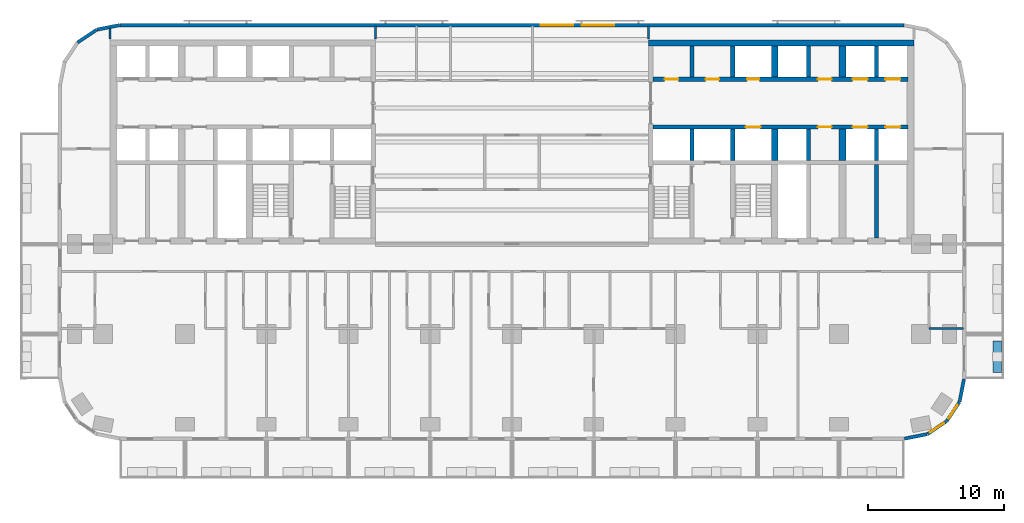
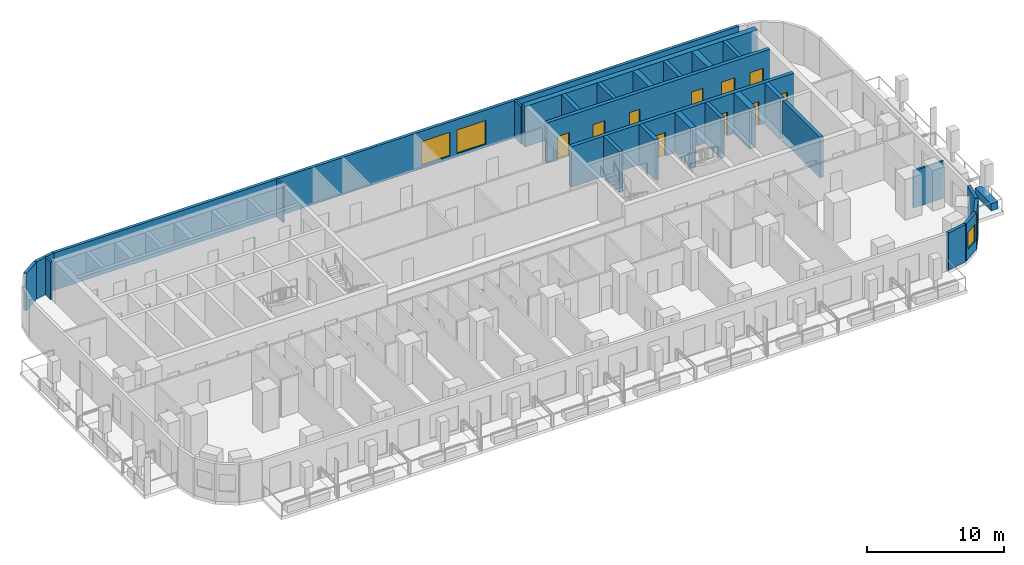
# One storey, part 7 of 13: 28 walls, 10 doors, 4 windows, 14 openings.
"""IFC4 building model written with IfcOpenShell, lengths in metres."""

import ifcopenshell
import ifcopenshell.guid

model = None  # the IFC model being written
_history = None  # IfcOwnerHistory: only IFC2X3 demands one
_inside = {}  # id of a spatial element -> (the spatial element, [elements in it])
_under = {}  # id of a project, library or spatial element -> (it, [spatial elements below it])
_declared = {}  # id of a project -> (the project, [libraries it declares])
_typed = {}  # id of a type object -> (the type object, [elements of that type])
_made_of = {}  # id of a material, layer set ... -> (it, [elements and type objects made of it])


def new_model(schema):
    """Start an empty IFC model of exactly this schema.

    Asked for "IFC4X3", IfcOpenShell would pick the latest addendum, in which some entities
    have other attributes; the version numbers below select the first issue.
    IFC2X3 requires an IfcOwnerHistory on every rooted entity: one is made here for all.
    """
    global model, _history
    if schema == "IFC4X3":
        model = ifcopenshell.file(schema_version=(4, 3, 0, 0))
    else:
        model = ifcopenshell.file(schema=schema)
    _inside.clear()
    _under.clear()
    _declared.clear()
    _typed.clear()
    _made_of.clear()
    _history = None
    if model.schema == "IFC2X3":
        org = make("IfcOrganization", Name="unknown")
        user = make(
            "IfcPersonAndOrganization",
            ThePerson=make("IfcPerson", FamilyName="unknown"),
            TheOrganization=org,
        )
        app = make(
            "IfcApplication",
            ApplicationDeveloper=org,
            Version="unknown",
            ApplicationFullName="unknown",
            ApplicationIdentifier="unknown",
        )
        _history = make(
            "IfcOwnerHistory",
            OwningUser=user,
            OwningApplication=app,
            ChangeAction="ADDED",
            CreationDate=0,
        )
    return model


def make(cls, **values):
    """One entity of the class cls with the attributes given. An attribute that is None is left unset."""
    return model.create_entity(
        cls, **{name: value for name, value in values.items() if value is not None}
    )


def rooted(cls, **values):
    """An entity with a GlobalId (a new one), such as an element, a storey or a relation."""
    return make(cls, GlobalId=ifcopenshell.guid.new(), OwnerHistory=_history, **values)


def si_unit(unit_type, name, prefix=None):
    """IfcSIUnit, for example si_unit("LENGTHUNIT", "METRE", prefix="MILLI")."""
    return make("IfcSIUnit", UnitType=unit_type, Prefix=prefix, Name=name)


def assignment(units):
    """IfcUnitAssignment: the units of a project."""
    return None if units is None else make("IfcUnitAssignment", Units=units)


def point(xyz):
    """IfcCartesianPoint."""
    return None if xyz is None else make("IfcCartesianPoint", Coordinates=xyz)


def direction(xyz):
    """IfcDirection."""
    return None if xyz is None else make("IfcDirection", DirectionRatios=xyz)


def frame(location, z_axis=None, x_axis=None):
    """IfcAxis2Placement3D, a coordinate frame: its origin and axes. An axis left out is left unset."""
    return make(
        "IfcAxis2Placement3D",
        Location=point(location),
        Axis=direction(z_axis),
        RefDirection=direction(x_axis),
    )


def frame_2d(location, x_axis=None):
    """IfcAxis2Placement2D, a coordinate frame in the plane: its origin and x axis."""
    return make(
        "IfcAxis2Placement2D", Location=point(location), RefDirection=direction(x_axis)
    )


def origin():
    """The frame at (0, 0, 0) with its axes left unset."""
    return frame((0.0, 0.0, 0.0))


def place(relative_to, where):
    """IfcLocalPlacement: puts the frame where relative to a parent placement (None: the world)."""
    return make(
        "IfcLocalPlacement", PlacementRelTo=relative_to, RelativePlacement=where
    )


def context(
    kind, dimensions, precision=None, world=None, true_north=None, identifier=None
):
    """IfcGeometricRepresentationContext, for example the 3D "Model" context."""
    return make(
        "IfcGeometricRepresentationContext",
        ContextIdentifier=identifier,
        ContextType=kind,
        CoordinateSpaceDimension=dimensions,
        Precision=precision,
        WorldCoordinateSystem=world,
        TrueNorth=true_north,
    )


def subcontext(parent, identifier, kind, view, scale=None):
    """IfcGeometricRepresentationSubContext, for example "Body" below "Model"."""
    return make(
        "IfcGeometricRepresentationSubContext",
        ContextIdentifier=identifier,
        ContextType=kind,
        ParentContext=parent,
        TargetScale=scale,
        TargetView=view,
    )


def project(units=None, contexts=None):
    """IfcProject with its units and contexts."""
    return rooted(
        "IfcProject",
        Name="project",
        RepresentationContexts=contexts,
        UnitsInContext=assignment(units),
    )


def spatial(cls, under=None, at=None, **own):
    """A site, building, storey or space (cls), placed at a placement, below another one or the project."""
    s = rooted(cls, ObjectPlacement=at, **own)
    if under is not None:
        _under.setdefault(under.id(), (under, []))[1].append(s)
    return s


def profile(cls, at=None, kind="AREA", **sizes):
    """A parametric profile (cls). Its sizes go by their IFC names, for example OverallWidth=200.0."""
    return make(cls, ProfileType=kind, Position=at, **sizes)


def rectangle(**sizes):
    """IfcRectangleProfileDef."""
    return profile("IfcRectangleProfileDef", **sizes)


def extrude(swept, where, along, depth):
    """IfcExtrudedAreaSolid: the profile swept, set in the frame where, extruded along a direction by depth."""
    return make(
        "IfcExtrudedAreaSolid",
        SweptArea=swept,
        Position=where,
        ExtrudedDirection=direction(along),
        Depth=depth,
    )


def shape(context_of_items, identifier, shape_type, items):
    """IfcShapeRepresentation: the items that make up one representation, for example the "Body"."""
    return make(
        "IfcShapeRepresentation",
        ContextOfItems=context_of_items,
        RepresentationIdentifier=identifier,
        RepresentationType=shape_type,
        Items=items,
    )


def material(Name=None, Category=None):
    """IfcMaterial."""
    return make("IfcMaterial", Name=Name, Category=Category)


def layer(
    of_material, thickness, ventilated=None, Name=None, Category=None, Priority=None
):
    """IfcMaterialLayer: one layer of a wall or slab, of a material (None: an air gap)."""
    return make(
        "IfcMaterialLayer",
        Material=of_material,
        LayerThickness=thickness,
        IsVentilated=ventilated,
        Name=Name,
        Category=Category,
        Priority=Priority,
    )


def layer_set(layers, Name=None):
    """IfcMaterialLayerSet."""
    return make("IfcMaterialLayerSet", MaterialLayers=layers, LayerSetName=Name)


def made_of(thing, what):
    """Note that an element or type object is made of a material, layer set ...; save() writes the relation."""
    if what is not None:
        _made_of.setdefault(what.id(), (what, []))[1].append(thing)
    return thing


def type_object(cls, material=None, **own):
    """A type object (cls), such as IfcWallType, which elements share."""
    return made_of(rooted(cls, **own), material)


def element(
    cls,
    number,
    at=None,
    inside=None,
    cuts=None,
    type_object=None,
    material=None,
    context=None,
    identifier="Body",
    shape_type=None,
    held_by="IfcProductDefinitionShape",
    body=None,
    shapes=None,
    **own,
):
    """One element of the class cls, such as IfcWall. Its Tag is "e" and its number.

    at: its placement. inside: the storey or other place that contains it. cuts: it is an
    opening in that element (IfcRelVoidsElement). A single representation is given by context,
    identifier, shape_type and body (its items); several are given by shapes. held_by: the class
    of the entity that holds the representations. save() writes the other relations.
    """
    e = rooted(cls, Tag="e%d" % number, ObjectPlacement=at, **own)
    if body is not None:
        shapes = [shape(context, identifier, shape_type, body)]
    if shapes is not None:
        e.Representation = make(held_by, Representations=shapes)
    if inside is not None:
        _inside.setdefault(inside.id(), (inside, []))[1].append(e)
    if cuts is not None:
        rooted(
            "IfcRelVoidsElement", RelatingBuildingElement=cuts, RelatedOpeningElement=e
        )
    if type_object is not None:
        _typed.setdefault(type_object.id(), (type_object, []))[1].append(e)
    return made_of(e, material)


def fill(opening, filler):
    """IfcRelFillsElement: the door or window that sits in an opening."""
    return rooted(
        "IfcRelFillsElement",
        RelatingOpeningElement=opening,
        RelatedBuildingElement=filler,
    )


def aggregate(whole, parts):
    """IfcRelAggregates: a whole, such as a stair, and the parts it consists of."""
    return rooted("IfcRelAggregates", RelatingObject=whole, RelatedObjects=parts)


def save(model, path):
    """Write the relations noted so far, then the file.

    IfcRelAggregates (storeys below a building ...), IfcRelContainedInSpatialStructure (elements
    in a storey), IfcRelDefinesByType, IfcRelAssociatesMaterial and IfcRelDeclares: one each for
    every whole, place, type object, material and project.
    """
    for whole, parts in _under.values():
        aggregate(whole, parts)
    for where, things in _inside.values():
        rooted(
            "IfcRelContainedInSpatialStructure",
            RelatedElements=things,
            RelatingStructure=where,
        )
    for kind, things in _typed.values():
        rooted("IfcRelDefinesByType", RelatedObjects=things, RelatingType=kind)
    for what, things in _made_of.values():
        rooted("IfcRelAssociatesMaterial", RelatedObjects=things, RelatingMaterial=what)
    for by, libraries in _declared.values():
        rooted("IfcRelDeclares", RelatingContext=by, RelatedDefinitions=libraries)
    model.write(path)


model = new_model("IFC4")

# Units and contexts
model_context = context("Model", 3, precision=1e-05, world=origin(), true_north=direction((0.0, 1.0)))
body_context = subcontext(model_context, "Body", "Model", "MODEL_VIEW")
ifc_project = project(units=[si_unit("LENGTHUNIT", "METRE"), si_unit("AREAUNIT", "SQUARE_METRE"), si_unit("VOLUMEUNIT", "CUBIC_METRE"), si_unit("PLANEANGLEUNIT", "RADIAN"), si_unit("MASSUNIT", "GRAM", prefix="KILO")], contexts=[model_context])

# Site, building, storey
site_placement = place(None, origin())
site = spatial("IfcSite", under=ifc_project, at=site_placement, CompositionType="ELEMENT")
building_placement = place(site_placement, origin())
building = spatial("IfcBuilding", under=site, at=building_placement, Name="Torana Hotel and Residences", CompositionType="ELEMENT")
storey_placement = place(building_placement, frame((0.0, 0.0, 56.39990234375)))
storey = spatial("IfcBuildingStorey", under=building, at=storey_placement, Name="L13", CompositionType="ELEMENT", Elevation=56.39990234375)

# Wall, openings, doors
ifc_material_1 = material(Name="Concrete C80/95", Category="concrete")
ifc_layer_1 = layer(ifc_material_1, 0.300048828125)
ifc_layer_set_1 = layer_set([ifc_layer_1], Name="CORE WALL 300 C80/95")
wall_type_1 = type_object("IfcWallType", Name="CORE WALL 300 C80/95", PredefinedType="SHEAR", material=ifc_layer_set_1)
wall_1_placement = place(storey_placement, frame((10.35009765625, -2.89990234375, 0.0), z_axis=(0.0, 0.0, 1.0), x_axis=(1.0, 0.0, 0.0)))
wall_1 = element("IfcWall", 1, at=wall_1_placement, inside=storey, type_object=wall_type_1, Name="Core wall E row-N", PredefinedType="SHEAR", context=body_context, shape_type="SweptSolid", body=[
    extrude(rectangle(XDim=18.699951171875, YDim=0.300048828125, at=frame_2d((9.35009765625, 0.0))), origin(), (0.0, 0.0, 1.0), 3.60009765625),
])
opening_1_placement = place(wall_1_placement, frame((14.64990234375, 0.0, 0.0)))
opening_1 = element("IfcOpeningElement", 2, at=opening_1_placement, cuts=wall_1, Name="Opening LD", PredefinedType="OPENING", context=body_context, shape_type="SweptSolid", body=[
    extrude(rectangle(XDim=1.10009765625, YDim=2.10009765625, at=frame_2d((0.550048828125, 1.050048828125))), frame((0.0, 0.159912109375, 0.0), z_axis=(0.0, -1.0, 0.0), x_axis=(1.0, 0.0, 0.0)), (0.0, 0.0, 1.0), 0.320068359375),
])
opening_2_placement = place(wall_1_placement, frame((17.050048828125, 0.0, 0.0)))
opening_2 = element("IfcOpeningElement", 3, at=opening_2_placement, cuts=wall_1, Name="Opening LD", PredefinedType="OPENING", context=body_context, shape_type="SweptSolid", body=[
    extrude(rectangle(XDim=1.10009765625, YDim=2.10009765625, at=frame_2d((0.550048828125, 1.050048828125))), frame((0.0, 0.159912109375, 0.0), z_axis=(0.0, -1.0, 0.0), x_axis=(1.0, 0.0, 0.0)), (0.0, 0.0, 1.0), 0.320068359375),
])
opening_3_placement = place(wall_1_placement, frame((6.89990234375, 0.0, 0.0)))
opening_3 = element("IfcOpeningElement", 4, at=opening_3_placement, cuts=wall_1, Name="Opening L13-26", PredefinedType="OPENING", context=body_context, shape_type="SweptSolid", body=[
    extrude(rectangle(XDim=0.89990234375, YDim=2.10009765625, at=frame_2d((0.449951171875, 1.050048828125))), frame((0.0, 0.159912109375, 0.0), z_axis=(0.0, -1.0, 0.0), x_axis=(1.0, 0.0, 0.0)), (0.0, 0.0, 1.0), 0.320068359375),
])
opening_4_placement = place(wall_1_placement, frame((0.85009765625, 0.0, 0.0)))
opening_4 = element("IfcOpeningElement", 5, at=opening_4_placement, cuts=wall_1, Name="Opening L13-27", PredefinedType="OPENING", context=body_context, shape_type="SweptSolid", body=[
    extrude(rectangle(XDim=1.0, YDim=2.10009765625, at=frame_2d((0.5, 1.050048828125))), frame((0.0, 0.159912109375, 0.0), z_axis=(0.0, -1.0, 0.0), x_axis=(1.0, 0.0, 0.0)), (0.0, 0.0, 1.0), 0.320068359375),
])
opening_5_placement = place(wall_1_placement, frame((3.85009765625, 0.0, 0.0)))
opening_5 = element("IfcOpeningElement", 6, at=opening_5_placement, cuts=wall_1, Name="Opening L13-28", PredefinedType="OPENING", context=body_context, shape_type="SweptSolid", body=[
    extrude(rectangle(XDim=1.0, YDim=2.10009765625, at=frame_2d((0.5, 1.050048828125))), frame((0.0, 0.159912109375, 0.0), z_axis=(0.0, -1.0, 0.0), x_axis=(1.0, 0.0, 0.0)), (0.0, 0.0, 1.0), 0.320068359375),
])
opening_6_placement = place(wall_1_placement, frame((12.10009765625, 0.0, 0.0)))
opening_6 = element("IfcOpeningElement", 7, at=opening_6_placement, cuts=wall_1, Name="Opening L13-29", PredefinedType="OPENING", context=body_context, shape_type="SweptSolid", body=[
    extrude(rectangle(XDim=1.0, YDim=2.10009765625, at=frame_2d((0.5, 1.050048828125))), frame((0.0, 0.159912109375, 0.0), z_axis=(0.0, -1.0, 0.0), x_axis=(1.0, 0.0, 0.0)), (0.0, 0.0, 1.0), 0.320068359375),
])
ifc_material_2 = material(Name="Steel S235", Category="steel")
door_type_1 = type_object("IfcDoorType", Name="CORE ROOM FIRE DOOR D14 1000x2100", OperationType="SINGLE_SWING_LEFT", PredefinedType="DOOR", material=ifc_material_2)
door_1_placement = place(opening_4_placement, origin())
door_1 = element("IfcDoor", 8, at=door_1_placement, inside=storey, type_object=door_type_1, Name="N0 door L13", OperationType="SINGLE_SWING_RIGHT", OverallHeight=2.10009765625, OverallWidth=1.0, PredefinedType="DOOR", context=body_context, shape_type="SweptSolid", body=[
    extrude(rectangle(XDim=1.0, YDim=2.10009765625, at=frame_2d((0.5, 1.050048828125))), frame((0.0, 0.02490234375, 0.0), z_axis=(0.0, -1.0, 0.0), x_axis=(1.0, 0.0, 0.0)), (0.0, 0.0, 1.0), 0.050048828125),
])
fill(opening_4, door_1)
door_2_placement = place(opening_5_placement, origin())
door_2 = element("IfcDoor", 9, at=door_2_placement, inside=storey, type_object=door_type_1, Name="N1 door L13", OperationType="SINGLE_SWING_RIGHT", OverallHeight=2.10009765625, OverallWidth=1.0, PredefinedType="DOOR", context=body_context, shape_type="SweptSolid", body=[
    extrude(rectangle(XDim=1.0, YDim=2.10009765625, at=frame_2d((0.5, 1.050048828125))), frame((0.0, 0.02490234375, 0.0), z_axis=(0.0, -1.0, 0.0), x_axis=(1.0, 0.0, 0.0)), (0.0, 0.0, 1.0), 0.050048828125),
])
fill(opening_5, door_2)
door_3_placement = place(opening_6_placement, origin())
door_3 = element("IfcDoor", 10, at=door_3_placement, inside=storey, type_object=door_type_1, Name="Free-M3 door L13", OperationType="SINGLE_SWING_RIGHT", OverallHeight=2.10009765625, OverallWidth=1.0, PredefinedType="DOOR", context=body_context, shape_type="SweptSolid", body=[
    extrude(rectangle(XDim=1.0, YDim=2.10009765625, at=frame_2d((0.5, 1.050048828125))), frame((0.0, 0.02490234375, 0.0), z_axis=(0.0, -1.0, 0.0), x_axis=(1.0, 0.0, 0.0)), (0.0, 0.0, 1.0), 0.050048828125),
])
fill(opening_6, door_3)
ifc_material_3 = material(Name="Stainless steel 316", Category="steel")
door_type_2 = type_object("IfcDoorType", Name="LIFT LANDING DOOR LD 1100x2100", OperationType="DOUBLE_DOOR_SLIDING", PredefinedType="USERDEFINED", material=ifc_material_3)
door_4_placement = place(opening_1_placement, origin())
door_4 = element("IfcDoor", 11, at=door_4_placement, inside=storey, type_object=door_type_2, Name="Lift landing door L5 L13", ObjectType="LIFT LANDING DOOR", OperationType="DOUBLE_DOOR_SLIDING", OverallHeight=2.10009765625, OverallWidth=1.10009765625, PredefinedType="USERDEFINED", context=body_context, shape_type="SweptSolid", body=[
    extrude(rectangle(XDim=1.10009765625, YDim=2.10009765625, at=frame_2d((0.550048828125, 1.050048828125))), frame((0.0, 0.02490234375, 0.0), z_axis=(0.0, -1.0, 0.0), x_axis=(1.0, 0.0, 0.0)), (0.0, 0.0, 1.0), 0.050048828125),
])
fill(opening_1, door_4)
door_5_placement = place(opening_2_placement, origin())
door_5 = element("IfcDoor", 12, at=door_5_placement, inside=storey, type_object=door_type_2, Name="Lift landing door L6 L13", ObjectType="LIFT LANDING DOOR", OperationType="DOUBLE_DOOR_SLIDING", OverallHeight=2.10009765625, OverallWidth=1.10009765625, PredefinedType="USERDEFINED", context=body_context, shape_type="SweptSolid", body=[
    extrude(rectangle(XDim=1.10009765625, YDim=2.10009765625, at=frame_2d((0.550048828125, 1.050048828125))), frame((0.0, 0.02490234375, 0.0), z_axis=(0.0, -1.0, 0.0), x_axis=(1.0, 0.0, 0.0)), (0.0, 0.0, 1.0), 0.050048828125),
])
fill(opening_2, door_5)
ifc_material_4 = material(Name="Steel S235", Category="steel")
door_type_3 = type_object("IfcDoorType", Name="RISER ACCESS DOOR D5 900x2100", OperationType="SINGLE_SWING_LEFT", PredefinedType="DOOR", material=ifc_material_4)
door_6_placement = place(opening_3_placement, origin())
door_6 = element("IfcDoor", 13, at=door_6_placement, inside=storey, type_object=door_type_3, Name="N2 door L13", OperationType="SINGLE_SWING_RIGHT", OverallHeight=2.10009765625, OverallWidth=0.89990234375, PredefinedType="DOOR", context=body_context, shape_type="SweptSolid", body=[
    extrude(rectangle(XDim=0.89990234375, YDim=2.10009765625, at=frame_2d((0.449951171875, 1.050048828125))), frame((0.0, 0.02490234375, 0.0), z_axis=(0.0, -1.0, 0.0), x_axis=(1.0, 0.0, 0.0)), (0.0, 0.0, 1.0), 0.050048828125),
])
fill(opening_3, door_6)

wall_2_placement = place(storey_placement, frame((10.35009765625, -6.39990234375, 0.0), z_axis=(0.0, 0.0, 1.0), x_axis=(1.0, 0.0, 0.0)))
wall_2 = element("IfcWall", 14, at=wall_2_placement, inside=storey, type_object=wall_type_1, Name="Core wall E row-S", PredefinedType="SHEAR", context=body_context, shape_type="SweptSolid", body=[
    extrude(rectangle(XDim=18.699951171875, YDim=0.300048828125, at=frame_2d((9.35009765625, 0.0))), origin(), (0.0, 0.0, 1.0), 3.60009765625),
])
opening_7_placement = place(wall_2_placement, frame((14.64990234375, 0.0, 0.0)))
opening_7 = element("IfcOpeningElement", 15, at=opening_7_placement, cuts=wall_2, Name="Opening LD", PredefinedType="OPENING", context=body_context, shape_type="SweptSolid", body=[
    extrude(rectangle(XDim=1.10009765625, YDim=2.10009765625, at=frame_2d((0.550048828125, 1.050048828125))), frame((0.0, 0.159912109375, 0.0), z_axis=(0.0, -1.0, 0.0), x_axis=(1.0, 0.0, 0.0)), (0.0, 0.0, 1.0), 0.320068359375),
])
opening_8_placement = place(wall_2_placement, frame((17.050048828125, 0.0, 0.0)))
opening_8 = element("IfcOpeningElement", 16, at=opening_8_placement, cuts=wall_2, Name="Opening LD", PredefinedType="OPENING", context=body_context, shape_type="SweptSolid", body=[
    extrude(rectangle(XDim=1.10009765625, YDim=2.10009765625, at=frame_2d((0.550048828125, 1.050048828125))), frame((0.0, 0.159912109375, 0.0), z_axis=(0.0, -1.0, 0.0), x_axis=(1.0, 0.0, 0.0)), (0.0, 0.0, 1.0), 0.320068359375),
])
opening_9_placement = place(wall_2_placement, frame((6.800048828125, 0.0, 0.0)))
opening_9 = element("IfcOpeningElement", 17, at=opening_9_placement, cuts=wall_2, Name="Opening LD", PredefinedType="OPENING", context=body_context, shape_type="SweptSolid", body=[
    extrude(rectangle(XDim=1.10009765625, YDim=2.10009765625, at=frame_2d((0.550048828125, 1.050048828125))), frame((0.0, 0.159912109375, 0.0), z_axis=(0.0, -1.0, 0.0), x_axis=(1.0, 0.0, 0.0)), (0.0, 0.0, 1.0), 0.320068359375),
])
opening_10_placement = place(wall_2_placement, frame((12.10009765625, 0.0, 0.0)))
opening_10 = element("IfcOpeningElement", 18, at=opening_10_placement, cuts=wall_2, Name="Opening L13-30", PredefinedType="OPENING", context=body_context, shape_type="SweptSolid", body=[
    extrude(rectangle(XDim=1.0, YDim=2.10009765625, at=frame_2d((0.5, 1.050048828125))), frame((0.0, 0.159912109375, 0.0), z_axis=(0.0, -1.0, 0.0), x_axis=(1.0, 0.0, 0.0)), (0.0, 0.0, 1.0), 0.320068359375),
])
door_7_placement = place(opening_10_placement, frame((0.5, 0.0, 0.0), z_axis=(0.0, 0.0, 1.0), x_axis=(-1.0, 0.0, 0.0)))
door_7 = element("IfcDoor", 19, at=door_7_placement, inside=storey, type_object=door_type_1, Name="Free-M4 door L13", OperationType="SINGLE_SWING_LEFT", OverallHeight=2.10009765625, OverallWidth=1.0, PredefinedType="DOOR", context=body_context, shape_type="SweptSolid", body=[
    extrude(rectangle(XDim=1.0, YDim=2.10009765625, at=frame_2d((0.0, 1.050048828125))), frame((0.0, -0.02490234375, 0.0), z_axis=(0.0, 1.0, 0.0), x_axis=(-1.0, 0.0, 0.0)), (0.0, 0.0, 1.0), 0.050048828125),
])
fill(opening_10, door_7)
door_8_placement = place(opening_7_placement, origin())
door_8 = element("IfcDoor", 20, at=door_8_placement, inside=storey, type_object=door_type_2, Name="Lift landing door L7 L13", ObjectType="LIFT LANDING DOOR", OperationType="DOUBLE_DOOR_SLIDING", OverallHeight=2.10009765625, OverallWidth=1.10009765625, PredefinedType="USERDEFINED", context=body_context, shape_type="SweptSolid", body=[
    extrude(rectangle(XDim=1.10009765625, YDim=2.10009765625, at=frame_2d((0.550048828125, 1.050048828125))), frame((0.0, 0.02490234375, 0.0), z_axis=(0.0, -1.0, 0.0), x_axis=(1.0, 0.0, 0.0)), (0.0, 0.0, 1.0), 0.050048828125),
])
fill(opening_7, door_8)
door_9_placement = place(opening_8_placement, origin())
door_9 = element("IfcDoor", 21, at=door_9_placement, inside=storey, type_object=door_type_2, Name="Lift landing door L8 L13", ObjectType="LIFT LANDING DOOR", OperationType="DOUBLE_DOOR_SLIDING", OverallHeight=2.10009765625, OverallWidth=1.10009765625, PredefinedType="USERDEFINED", context=body_context, shape_type="SweptSolid", body=[
    extrude(rectangle(XDim=1.10009765625, YDim=2.10009765625, at=frame_2d((0.550048828125, 1.050048828125))), frame((0.0, 0.02490234375, 0.0), z_axis=(0.0, -1.0, 0.0), x_axis=(1.0, 0.0, 0.0)), (0.0, 0.0, 1.0), 0.050048828125),
])
fill(opening_8, door_9)
door_10_placement = place(opening_9_placement, origin())
door_10 = element("IfcDoor", 22, at=door_10_placement, inside=storey, type_object=door_type_2, Name="Lift landing door SV2 L13", ObjectType="LIFT LANDING DOOR", OperationType="DOUBLE_DOOR_SLIDING", OverallHeight=2.10009765625, OverallWidth=1.10009765625, PredefinedType="USERDEFINED", context=body_context, shape_type="SweptSolid", body=[
    extrude(rectangle(XDim=1.10009765625, YDim=2.10009765625, at=frame_2d((0.550048828125, 1.050048828125))), frame((0.0, 0.02490234375, 0.0), z_axis=(0.0, -1.0, 0.0), x_axis=(1.0, 0.0, 0.0)), (0.0, 0.0, 1.0), 0.050048828125),
])
fill(opening_9, door_10)

# Walls
for number, where, z_axis, x_axis, name in (
    (23, (13.199951171875, -2.75, 0.0), (0.0, 0.0, 1.0), (0.0, 1.0, 0.0), "Core wall E x3.05-N"),
    (24, (13.199951171875, -8.85009765625, 0.0), (0.0, 0.0, 1.0), (0.0, 1.0, 0.0), "Core wall E x3.05-S"),
    (25, (16.199951171875, -2.75, 0.0), (0.0, 0.0, 1.0), (0.0, 1.0, 0.0), "Core wall E x6.05-N"),
    (26, (16.199951171875, -8.85009765625, 0.0), (0.0, 0.0, 1.0), (0.0, 1.0, 0.0), "Core wall E x6.05-S"),
    (27, (21.75, -2.75, 0.0), (0.0, 0.0, 1.0), (0.0, 1.0, 0.0), "Core wall E mm-N"),
    (28, (21.75, -8.85009765625, 0.0), (0.0, 0.0, 1.0), (0.0, 1.0, 0.0), "Core wall E mm-S"),
    (29, (26.75, -2.75, 0.0), (0.0, 0.0, 1.0), (0.0, 1.0, 0.0), "Core wall E ll-N"),
    (30, (26.75, -8.85009765625, 0.0), (0.0, 0.0, 1.0), (0.0, 1.0, 0.0), "Core wall E ll-S"),
):
    element("IfcWall", number, at=place(storey_placement, frame(where, z_axis=z_axis, x_axis=x_axis)), inside=storey, type_object=wall_type_1, Name=name, PredefinedType="SHEAR", context=body_context, shape_type="SweptSolid", body=[
        extrude(rectangle(XDim=2.300048828125, YDim=0.300048828125, at=frame_2d((1.14990234375, 0.0))), origin(), (0.0, 0.0, 1.0), 3.60009765625),
    ])
wall_3_placement = place(storey_placement, frame((26.75, -14.550048828125, 0.0), z_axis=(0.0, 0.0, 1.0), x_axis=(0.0, 1.0, 0.0)))
element("IfcWall", 31, at=wall_3_placement, inside=storey, type_object=wall_type_1, Name="Core wall E ll-band", PredefinedType="SHEAR", context=body_context, shape_type="SweptSolid", body=[
    extrude(rectangle(XDim=5.400146484375, YDim=0.300048828125, at=frame_2d((2.7001953125, 0.0))), origin(), (0.0, 0.0, 1.0), 3.60009765625),
])
ifc_material_5 = material(Name="Concrete C80/95", Category="concrete")
ifc_layer_2 = layer(ifc_material_5, 0.449951171875)
ifc_layer_set_2 = layer_set([ifc_layer_2], Name="CORE WALL 450 C80/95")
wall_type_2 = type_object("IfcWallType", Name="CORE WALL 450 C80/95", PredefinedType="SHEAR", material=ifc_layer_set_2)
wall_4_placement = place(storey_placement, frame((10.0, -0.22509765625, 0.0), z_axis=(0.0, 0.0, 1.0), x_axis=(1.0, 0.0, 0.0)))
element("IfcWall", 32, at=wall_4_placement, inside=storey, type_object=wall_type_2, Name="Core wall E rear", PredefinedType="SHEAR", context=body_context, shape_type="SweptSolid", body=[
    extrude(rectangle(XDim=19.5, YDim=0.449951171875, at=frame_2d((9.75, 0.0))), origin(), (0.0, 0.0, 1.0), 3.60009765625),
])
for number, where, z_axis, x_axis, name in (
    (33, (19.27490234375, -2.75, 0.0), (0.0, 0.0, 1.0), (0.0, 1.0, 0.0), "Core wall E hm-N"),
    (34, (19.27490234375, -8.85009765625, 0.0), (0.0, 0.0, 1.0), (0.0, 1.0, 0.0), "Core wall E hm-S"),
):
    element("IfcWall", number, at=place(storey_placement, frame(where, z_axis=z_axis, x_axis=x_axis)), inside=storey, type_object=wall_type_2, Name=name, PredefinedType="SHEAR", context=body_context, shape_type="SweptSolid", body=[
        extrude(rectangle(XDim=2.300048828125, YDim=0.449951171875, at=frame_2d((1.14990234375, 0.0))), origin(), (0.0, 0.0, 1.0), 3.60009765625),
    ])
ifc_material_6 = material(Name="Concrete C80/95", Category="concrete")
ifc_layer_3 = layer(ifc_material_6, 0.5)
ifc_layer_set_3 = layer_set([ifc_layer_3], Name="CORE WALL 500 C80/95")
wall_type_3 = type_object("IfcWallType", Name="CORE WALL 500 C80/95", PredefinedType="SHEAR", material=ifc_layer_set_3)
for number, where, z_axis, x_axis, name in (
    (35, (24.25, -2.75, 0.0), (0.0, 0.0, 1.0), (0.0, 1.0, 0.0), "Core wall E ml-N"),
    (36, (24.25, -8.85009765625, 0.0), (0.0, 0.0, 1.0), (0.0, 1.0, 0.0), "Core wall E ml-S"),
):
    element("IfcWall", number, at=place(storey_placement, frame(where, z_axis=z_axis, x_axis=x_axis)), inside=storey, type_object=wall_type_3, Name=name, PredefinedType="SHEAR", context=body_context, shape_type="SweptSolid", body=[
        extrude(rectangle(XDim=2.300048828125, YDim=0.5, at=frame_2d((1.14990234375, 0.0))), origin(), (0.0, 0.0, 1.0), 3.60009765625),
    ])
ifc_material_7 = material(Name="Black aluminium composite panel", Category="aluminium")
ifc_layer_4 = layer(ifc_material_7, 0.00390625, Name="Cladding", Category="cladding")
ifc_material_8 = material(Name="Ventilated air cavity")
ifc_layer_5 = layer(ifc_material_8, 0.0400390625, Name="Ventilated cavity", Category="cavity")
ifc_material_9 = material(Name="Mineral wool insulation")
ifc_layer_6 = layer(ifc_material_9, 0.090087890625, Name="Insulation", Category="insulation")
ifc_material_10 = material(Name="Steel S280GD", Category="steel")
ifc_layer_7 = layer(ifc_material_10, 0.092041015625, Name="Steel stud frame", Category="structure")
ifc_material_11 = material(Name="Fire rated plasterboard")
ifc_layer_8 = layer(ifc_material_11, 0.011962890625, Name="Inner board", Category="finish")
ifc_layer_9 = layer(ifc_material_11, 0.011962890625, Name="Second board", Category="finish")
ifc_layer_set_4 = layer_set([ifc_layer_4, ifc_layer_5, ifc_layer_6, ifc_layer_7, ifc_layer_8, ifc_layer_9], Name="EW1 EXTERNAL WALL BLACK METAL CLAD 250")
wall_type_4 = type_object("IfcWallType", Name="EW1 EXTERNAL WALL BLACK METAL CLAD 250", PredefinedType="SOLIDWALL", material=ifc_layer_set_4)
wall_5_placement = place(storey_placement, frame((-28.7998046875, 1.072509765625, 0.0), z_axis=(0.0, 0.0, 1.0), x_axis=(-0.980803419081, -0.194999110559, 0.0)))
element("IfcWall", 37, at=wall_5_placement, inside=storey, type_object=wall_type_4, Name="External wall L13 e0.5", PredefinedType="SOLIDWALL", context=body_context, shape_type="SweptSolid", body=[
    extrude(rectangle(XDim=1.681396484375, YDim=0.25, at=frame_2d((0.8408203125, 0.0))), origin(), (0.0, 0.0, 1.0), 3.320068359375),
])
wall_6_placement = place(storey_placement, frame((-30.493896484375, 0.725830078125, 0.0), z_axis=(0.0, 0.0, 1.0), x_axis=(-0.831482937015, -0.55555029066, 0.0)))
element("IfcWall", 38, at=wall_6_placement, inside=storey, type_object=wall_type_4, Name="External wall L13 e0.6", PredefinedType="SOLIDWALL", context=body_context, shape_type="SweptSolid", body=[
    extrude(rectangle(XDim=1.65625, YDim=0.25, at=frame_2d((0.828125, 0.0))), origin(), (0.0, 0.0, 1.0), 3.320068359375),
])
wall_7_placement = place(storey_placement, frame((28.7998046875, -29.272705078125, 0.0), z_axis=(0.0, 0.0, 1.0), x_axis=(0.980775640221, 0.19513878023, 0.0)))
element("IfcWall", 39, at=wall_7_placement, inside=storey, type_object=wall_type_4, Name="External wall L13 e0.15", PredefinedType="SOLIDWALL", context=body_context, shape_type="SweptSolid", body=[
    extrude(rectangle(XDim=1.681396484375, YDim=0.25, at=frame_2d((0.8408203125, 0.0))), origin(), (0.0, 0.0, 1.0), 3.320068359375),
])

# Wall, opening, window
wall_8_placement = place(storey_placement, frame((30.493896484375, -28.92578125, 0.0), z_axis=(0.0, 0.0, 1.0), x_axis=(0.831482937015, 0.55555029066, 0.0)))
wall_8 = element("IfcWall", 40, at=wall_8_placement, inside=storey, type_object=wall_type_4, Name="External wall L13 e0.16", PredefinedType="SOLIDWALL", context=body_context, shape_type="SweptSolid", body=[
    extrude(rectangle(XDim=1.65625, YDim=0.25, at=frame_2d((0.828125, 0.0))), origin(), (0.0, 0.0, 1.0), 3.320068359375),
])
opening_11_placement = place(wall_8_placement, frame((0.228271484375, 0.0, 0.89990234375)))
opening_11 = element("IfcOpeningElement", 41, at=opening_11_placement, cuts=wall_8, Name="Opening W5", PredefinedType="OPENING", context=body_context, shape_type="SweptSolid", body=[
    extrude(rectangle(XDim=1.199951171875, YDim=1.5, at=frame_2d((0.60009765625, 0.75))), frame((0.0, 0.135009765625, 0.0), z_axis=(0.0, -1.0, 0.0), x_axis=(1.0, 0.0, 0.0)), (0.0, 0.0, 1.0), 0.27001953125),
])
ifc_material_12 = material(Name="Dark glass in black aluminium frame", Category="aluminium")
window_type_1 = type_object("IfcWindowType", Name="W5 CORNER FACET WINDOW 1200x1500", PartitioningType="SINGLE_PANEL", PredefinedType="WINDOW", material=ifc_material_12)
window_1_placement = place(opening_11_placement, origin())
window_1 = element("IfcWindow", 42, at=window_1_placement, inside=storey, type_object=window_type_1, Name="Window L13 e0.16", OverallHeight=1.5, OverallWidth=1.199951171875, PartitioningType="SINGLE_PANEL", PredefinedType="WINDOW", context=body_context, shape_type="SweptSolid", body=[
    extrude(rectangle(XDim=1.199951171875, YDim=1.5, at=frame_2d((0.60009765625, 0.75))), frame((0.0, 0.030029296875, 0.0), z_axis=(0.0, -1.0, 0.0), x_axis=(1.0, 0.0, 0.0)), (0.0, 0.0, 1.0), 0.06005859375),
])
fill(opening_11, window_1)

wall_9_placement = place(storey_placement, frame((31.90576171875, -27.97119140625, 0.0), z_axis=(0.0, 0.0, 1.0), x_axis=(0.55555029066, 0.831482937015, 0.0)))
wall_9 = element("IfcWall", 43, at=wall_9_placement, inside=storey, type_object=wall_type_4, Name="External wall L13 e0.17", PredefinedType="SOLIDWALL", context=body_context, shape_type="SweptSolid", body=[
    extrude(rectangle(XDim=1.65625, YDim=0.25, at=frame_2d((0.828125, 0.0))), origin(), (0.0, 0.0, 1.0), 3.320068359375),
])
opening_12_placement = place(wall_9_placement, frame((0.228271484375, 0.0, 0.89990234375)))
opening_12 = element("IfcOpeningElement", 44, at=opening_12_placement, cuts=wall_9, Name="Opening W5", PredefinedType="OPENING", context=body_context, shape_type="SweptSolid", body=[
    extrude(rectangle(XDim=1.199951171875, YDim=1.5, at=frame_2d((0.60009765625, 0.75))), frame((0.0, 0.135009765625, 0.0), z_axis=(0.0, -1.0, 0.0), x_axis=(1.0, 0.0, 0.0)), (0.0, 0.0, 1.0), 0.27001953125),
])
window_2_placement = place(opening_12_placement, origin())
window_2 = element("IfcWindow", 45, at=window_2_placement, inside=storey, type_object=window_type_1, Name="Window L13 e0.17", OverallHeight=1.5, OverallWidth=1.199951171875, PartitioningType="SINGLE_PANEL", PredefinedType="WINDOW", context=body_context, shape_type="SweptSolid", body=[
    extrude(rectangle(XDim=1.199951171875, YDim=1.5, at=frame_2d((0.60009765625, 0.75))), frame((0.0, 0.030029296875, 0.0), z_axis=(0.0, -1.0, 0.0), x_axis=(1.0, 0.0, 0.0)), (0.0, 0.0, 1.0), 0.06005859375),
])
fill(opening_12, window_2)

# Wall
wall_10_placement = place(storey_placement, frame((32.844482421875, -26.548828125, 0.0), z_axis=(0.0, 0.0, 1.0), x_axis=(0.195166572128, 0.980770110232, 0.0)))
element("IfcWall", 46, at=wall_10_placement, inside=storey, type_object=wall_type_4, Name="External wall L13 e0.18", PredefinedType="SOLIDWALL", context=body_context, shape_type="SweptSolid", body=[
    extrude(rectangle(XDim=1.68115234375, YDim=0.25, at=frame_2d((0.840576171875, 0.0))), origin(), (0.0, 0.0, 1.0), 3.320068359375),
])

# Wall, openings, windows
ifc_material_13 = material(Name="Concrete C40/50 precast", Category="concrete")
ifc_layer_10 = layer(ifc_material_13, 0.10009765625, Name="Perforated block", Category="cladding")
ifc_material_14 = material(Name="Air cavity")
ifc_layer_11 = layer(ifc_material_14, 0.030029296875, Name="Cavity", Category="cavity")
ifc_material_15 = material(Name="Concrete C40/50", Category="concrete")
ifc_layer_12 = layer(ifc_material_15, 0.10009765625, Name="Wall", Category="structure")
ifc_material_16 = material(Name="Plaster and paint")
ifc_layer_13 = layer(ifc_material_16, 0.02001953125, Name="Inner finish", Category="finish")
ifc_layer_set_5 = layer_set([ifc_layer_10, ifc_layer_11, ifc_layer_12, ifc_layer_13], Name="EW2 PERFORATED BLOCK SCREEN WALL 250")
wall_type_5 = type_object("IfcWallType", Name="EW2 PERFORATED BLOCK SCREEN WALL 250", PredefinedType="SOLIDWALL", material=ifc_layer_set_5)
wall_11_placement = place(storey_placement, frame((28.775390625, 1.074951171875, 0.0), z_axis=(0.0, 0.0, 1.0), x_axis=(-1.0, 0.0, 0.0)))
wall_11 = element("IfcWall", 47, at=wall_11_placement, inside=storey, type_object=wall_type_5, Name="External wall L13 e0.4", PredefinedType="SOLIDWALL", context=body_context, shape_type="SweptSolid", body=[
    extrude(rectangle(XDim=57.55078125, YDim=0.25, at=frame_2d((28.775390625, 0.0))), origin(), (0.0, 0.0, 1.0), 3.320068359375),
])
opening_13_placement = place(wall_11_placement, frame((21.275390625, 0.0, 0.300048828125)))
opening_13 = element("IfcOpeningElement", 48, at=opening_13_placement, cuts=wall_11, Name="Opening W1", PredefinedType="OPENING", context=body_context, shape_type="SweptSolid", body=[
    extrude(rectangle(XDim=2.39990234375, YDim=2.10009765625, at=frame_2d((1.199951171875, 1.050048828125))), frame((0.0, 0.135009765625, 0.0), z_axis=(0.0, -1.0, 0.0), x_axis=(1.0, 0.0, 0.0)), (0.0, 0.0, 1.0), 0.27001953125),
])
opening_14_placement = place(wall_11_placement, frame((24.275390625, 0.0, 0.300048828125)))
opening_14 = element("IfcOpeningElement", 49, at=opening_14_placement, cuts=wall_11, Name="Opening W1", PredefinedType="OPENING", context=body_context, shape_type="SweptSolid", body=[
    extrude(rectangle(XDim=2.39990234375, YDim=2.10009765625, at=frame_2d((1.199951171875, 1.050048828125))), frame((0.0, 0.135009765625, 0.0), z_axis=(0.0, -1.0, 0.0), x_axis=(1.0, 0.0, 0.0)), (0.0, 0.0, 1.0), 0.27001953125),
])
ifc_material_17 = material(Name="Dark glass in black aluminium frame", Category="aluminium")
window_type_2 = type_object("IfcWindowType", Name="W1 HOTEL ROOM WINDOW 2400x2100", PartitioningType="SINGLE_PANEL", PredefinedType="WINDOW", material=ifc_material_17)
window_3_placement = place(opening_13_placement, origin())
window_3 = element("IfcWindow", 50, at=window_3_placement, inside=storey, type_object=window_type_2, Name="Window L13", OverallHeight=2.10009765625, OverallWidth=2.39990234375, PartitioningType="SINGLE_PANEL", PredefinedType="WINDOW", context=body_context, shape_type="SweptSolid", body=[
    extrude(rectangle(XDim=2.39990234375, YDim=2.10009765625, at=frame_2d((1.199951171875, 1.050048828125))), frame((0.0, 0.030029296875, 0.0), z_axis=(0.0, -1.0, 0.0), x_axis=(1.0, 0.0, 0.0)), (0.0, 0.0, 1.0), 0.06005859375),
])
fill(opening_13, window_3)
window_4_placement = place(opening_14_placement, origin())
window_4 = element("IfcWindow", 51, at=window_4_placement, inside=storey, type_object=window_type_2, Name="Window L13", OverallHeight=2.10009765625, OverallWidth=2.39990234375, PartitioningType="SINGLE_PANEL", PredefinedType="WINDOW", context=body_context, shape_type="SweptSolid", body=[
    extrude(rectangle(XDim=2.39990234375, YDim=2.10009765625, at=frame_2d((1.199951171875, 1.050048828125))), frame((0.0, 0.030029296875, 0.0), z_axis=(0.0, -1.0, 0.0), x_axis=(1.0, 0.0, 0.0)), (0.0, 0.0, 1.0), 0.06005859375),
])
fill(opening_14, window_4)

# Walls
ifc_material_18 = material(Name="Gypsum plasterboard")
ifc_layer_14 = layer(ifc_material_18, 0.012451171875, Name="Plasterboard", Category="finish")
ifc_layer_15 = layer(ifc_material_18, 0.012451171875, Name="Plasterboard", Category="finish")
ifc_layer_16 = layer(ifc_material_10, 0.10009765625, Name="Steel studs with mineral wool", Category="insulation")
ifc_layer_17 = layer(ifc_material_18, 0.012451171875, Name="Plasterboard", Category="finish")
ifc_layer_18 = layer(ifc_material_18, 0.012451171875, Name="Plasterboard", Category="finish")
ifc_layer_set_6 = layer_set([ifc_layer_14, ifc_layer_15, ifc_layer_16, ifc_layer_17, ifc_layer_18], Name="PARTITION 150 PLASTERBOARD")
wall_type_6 = type_object("IfcWallType", Name="PARTITION 150 PLASTERBOARD", PredefinedType="PARTITIONING", material=ifc_layer_set_6)
wall_12_placement = place(storey_placement, frame((10.0, 0.050048828125, 0.0), z_axis=(0.0, 0.0, 1.0), x_axis=(0.0, 1.0, 0.0)))
element("IfcWall", 52, at=wall_12_placement, inside=storey, type_object=wall_type_6, Name="Partition L13", PredefinedType="PARTITIONING", context=body_context, shape_type="SweptSolid", body=[
    extrude(rectangle(XDim=0.969970703125, YDim=0.14990234375, at=frame_2d((0.48486328125, 0.0))), origin(), (0.0, 0.0, 1.0), 3.320068359375),
])
wall_13_placement = place(storey_placement, frame((-29.5, 0.050048828125, 0.0), z_axis=(0.0, 0.0, 1.0), x_axis=(0.0, 1.0, 0.0)))
element("IfcWall", 53, at=wall_13_placement, inside=storey, type_object=wall_type_6, Name="Partition L13", PredefinedType="PARTITIONING", context=body_context, shape_type="SweptSolid", body=[
    extrude(rectangle(XDim=0.8271484375, YDim=0.14990234375, at=frame_2d((0.41357421875, 0.0))), origin(), (0.0, 0.0, 1.0), 3.320068359375),
])
wall_14_placement = place(storey_placement, frame((30.60009765625, -21.199951171875, 0.0), z_axis=(0.0, 0.0, 1.0), x_axis=(1.0, 0.0, 0.0)))
element("IfcWall", 54, at=wall_14_placement, inside=storey, type_object=wall_type_6, Name="Partition L13", PredefinedType="PARTITIONING", context=body_context, shape_type="SweptSolid", body=[
    extrude(rectangle(XDim=2.52001953125, YDim=0.14990234375, at=frame_2d((1.260009765625, 0.0))), origin(), (0.0, 0.0, 1.0), 3.320068359375),
])
ifc_layer_19 = layer(ifc_material_13, 0.10009765625, Name="Planter shell", Category="structure")
ifc_material_19 = material(Name="Root resistant membrane")
ifc_layer_20 = layer(ifc_material_19, 0.00390625, Name="Waterproofing membrane", Category="membrane")
ifc_material_20 = material(Name="Drainage board with filter fleece")
ifc_layer_21 = layer(ifc_material_20, 0.02001953125, Name="Drainage board", Category="drainage")
ifc_material_21 = material(Name="Growing medium")
ifc_layer_22 = layer(ifc_material_21, 0.47607421875, Name="Planting substrate", Category="soil")
ifc_layer_set_7 = layer_set([ifc_layer_19, ifc_layer_20, ifc_layer_21, ifc_layer_22], Name="PL1 BALCONY PLANTER 600")
wall_type_7 = type_object("IfcWallType", Name="PL1 BALCONY PLANTER 600", PredefinedType="USERDEFINED", material=ifc_layer_set_7)
wall_15_placement = place(storey_placement, frame((35.60009765625, -22.10009765625, 0.0), z_axis=(0.0, 0.0, 1.0), x_axis=(0.0, -1.0, 0.0)))
element("IfcWall", 55, at=wall_15_placement, inside=storey, type_object=wall_type_7, Name="Planter 14", ObjectType="PLANTER", PredefinedType="USERDEFINED", context=body_context, shape_type="SweptSolid", body=[
    extrude(rectangle(XDim=2.2998046875, YDim=0.60009765625, at=frame_2d((1.14990234375, 0.0))), origin(), (0.0, 0.0, 1.0), 0.650146484375),
])
ifc_material_22 = material(Name="Ceramic tile on adhesive")
ifc_layer_23 = layer(ifc_material_22, 0.010009765625, Name="Wall tile", Category="finish")
ifc_material_23 = material(Name="Cement render")
ifc_layer_24 = layer(ifc_material_23, 0.010009765625, Name="Render", Category="finish")
ifc_material_24 = material(Name="Concrete blockwork", Category="masonry")
ifc_layer_25 = layer(ifc_material_24, 0.110107421875, Name="Blockwork", Category="structure")
ifc_layer_26 = layer(ifc_material_23, 0.010009765625, Name="Render", Category="finish")
ifc_layer_27 = layer(ifc_material_22, 0.010009765625, Name="Wall tile", Category="finish")
ifc_layer_set_8 = layer_set([ifc_layer_23, ifc_layer_24, ifc_layer_25, ifc_layer_26, ifc_layer_27], Name="WC PARTITION 150")
wall_type_8 = type_object("IfcWallType", Name="WC PARTITION 150", PredefinedType="PLUMBINGWALL", material=ifc_layer_set_8)
wall_16_placement = place(storey_placement, frame((-10.0, 0.050048828125, 0.0), z_axis=(0.0, 0.0, 1.0), x_axis=(0.0, 1.0, 0.0)))
element("IfcWall", 56, at=wall_16_placement, inside=storey, type_object=wall_type_8, Name="Partition L13", PredefinedType="PLUMBINGWALL", context=body_context, shape_type="SweptSolid", body=[
    extrude(rectangle(XDim=0.969970703125, YDim=0.14990234375, at=frame_2d((0.48486328125, 0.0))), origin(), (0.0, 0.0, 1.0), 3.320068359375),
])

save(model, "model.ifc")
